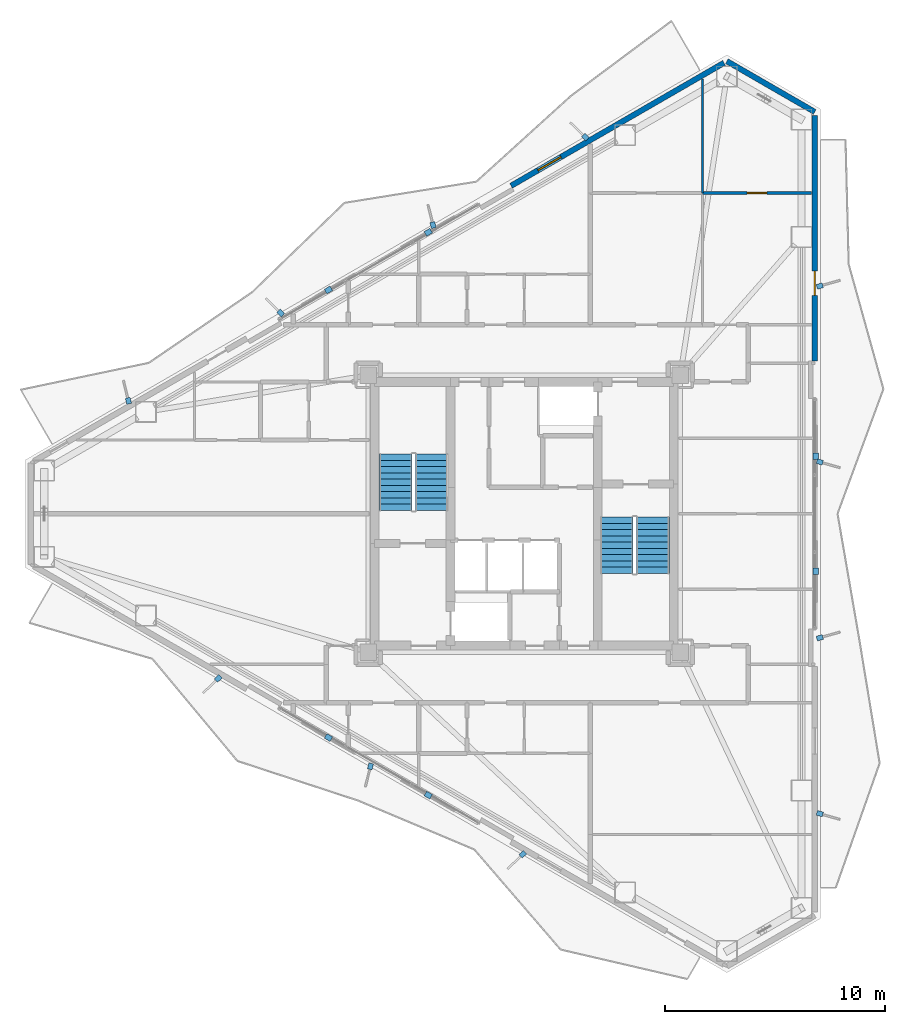
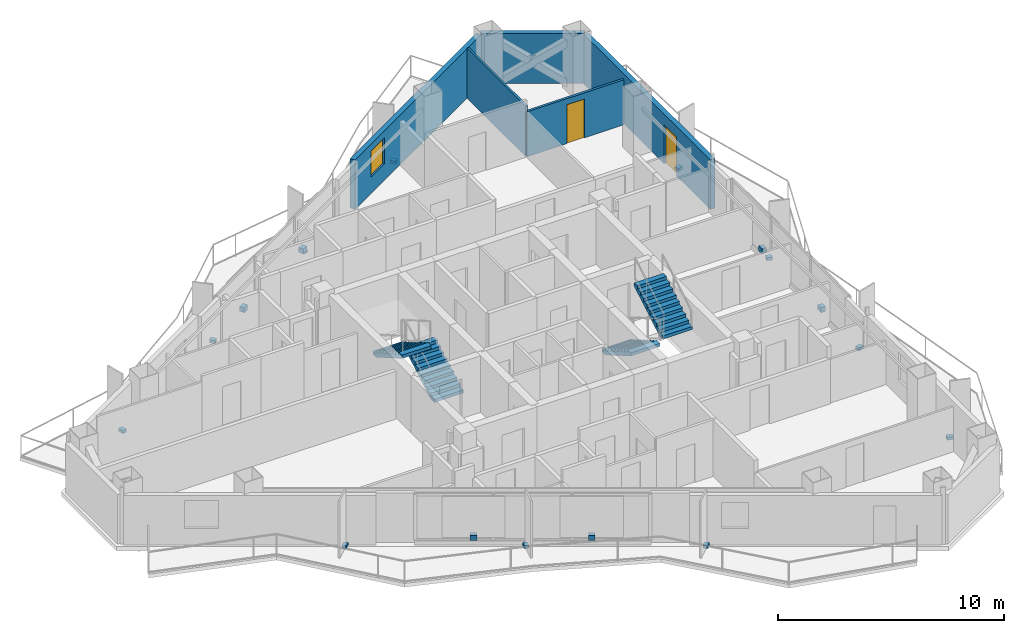
# One storey, part 16 of 18: 17 discrete accessories, 5 walls, 4 stair flights, 2 doors, 1 window, 3 openings, 2 elements without a shape of their own.
"""IFC4 building model written with IfcOpenShell, lengths in metres."""

import ifcopenshell
import ifcopenshell.guid

model = None  # the IFC model being written
_history = None  # IfcOwnerHistory: only IFC2X3 demands one
_inside = {}  # id of a spatial element -> (the spatial element, [elements in it])
_under = {}  # id of a project, library or spatial element -> (it, [spatial elements below it])
_declared = {}  # id of a project -> (the project, [libraries it declares])
_typed = {}  # id of a type object -> (the type object, [elements of that type])
_made_of = {}  # id of a material, layer set ... -> (it, [elements and type objects made of it])


def new_model(schema):
    """Start an empty IFC model of exactly this schema.

    Asked for "IFC4X3", IfcOpenShell would pick the latest addendum, in which some entities
    have other attributes; the version numbers below select the first issue.
    IFC2X3 requires an IfcOwnerHistory on every rooted entity: one is made here for all.
    """
    global model, _history
    if schema == "IFC4X3":
        model = ifcopenshell.file(schema_version=(4, 3, 0, 0))
    else:
        model = ifcopenshell.file(schema=schema)
    _inside.clear()
    _under.clear()
    _declared.clear()
    _typed.clear()
    _made_of.clear()
    _history = None
    if model.schema == "IFC2X3":
        org = make("IfcOrganization", Name="unknown")
        user = make(
            "IfcPersonAndOrganization",
            ThePerson=make("IfcPerson", FamilyName="unknown"),
            TheOrganization=org,
        )
        app = make(
            "IfcApplication",
            ApplicationDeveloper=org,
            Version="unknown",
            ApplicationFullName="unknown",
            ApplicationIdentifier="unknown",
        )
        _history = make(
            "IfcOwnerHistory",
            OwningUser=user,
            OwningApplication=app,
            ChangeAction="ADDED",
            CreationDate=0,
        )
    return model


def make(cls, **values):
    """One entity of the class cls with the attributes given. An attribute that is None is left unset."""
    return model.create_entity(
        cls, **{name: value for name, value in values.items() if value is not None}
    )


def rooted(cls, **values):
    """An entity with a GlobalId (a new one), such as an element, a storey or a relation."""
    return make(cls, GlobalId=ifcopenshell.guid.new(), OwnerHistory=_history, **values)


def si_unit(unit_type, name, prefix=None):
    """IfcSIUnit, for example si_unit("LENGTHUNIT", "METRE", prefix="MILLI")."""
    return make("IfcSIUnit", UnitType=unit_type, Prefix=prefix, Name=name)


def assignment(units):
    """IfcUnitAssignment: the units of a project."""
    return None if units is None else make("IfcUnitAssignment", Units=units)


def point(xyz):
    """IfcCartesianPoint."""
    return None if xyz is None else make("IfcCartesianPoint", Coordinates=xyz)


def direction(xyz):
    """IfcDirection."""
    return None if xyz is None else make("IfcDirection", DirectionRatios=xyz)


def frame(location, z_axis=None, x_axis=None):
    """IfcAxis2Placement3D, a coordinate frame: its origin and axes. An axis left out is left unset."""
    return make(
        "IfcAxis2Placement3D",
        Location=point(location),
        Axis=direction(z_axis),
        RefDirection=direction(x_axis),
    )


def frame_2d(location, x_axis=None):
    """IfcAxis2Placement2D, a coordinate frame in the plane: its origin and x axis."""
    return make(
        "IfcAxis2Placement2D", Location=point(location), RefDirection=direction(x_axis)
    )


def origin():
    """The frame at (0, 0, 0) with its axes left unset."""
    return frame((0.0, 0.0, 0.0))


def origin_2d():
    """The frame at (0, 0) in the plane with its x axis left unset."""
    return frame_2d((0.0, 0.0))


def place(relative_to, where):
    """IfcLocalPlacement: puts the frame where relative to a parent placement (None: the world)."""
    return make(
        "IfcLocalPlacement", PlacementRelTo=relative_to, RelativePlacement=where
    )


def context(
    kind, dimensions, precision=None, world=None, true_north=None, identifier=None
):
    """IfcGeometricRepresentationContext, for example the 3D "Model" context."""
    return make(
        "IfcGeometricRepresentationContext",
        ContextIdentifier=identifier,
        ContextType=kind,
        CoordinateSpaceDimension=dimensions,
        Precision=precision,
        WorldCoordinateSystem=world,
        TrueNorth=true_north,
    )


def subcontext(parent, identifier, kind, view, scale=None):
    """IfcGeometricRepresentationSubContext, for example "Body" below "Model"."""
    return make(
        "IfcGeometricRepresentationSubContext",
        ContextIdentifier=identifier,
        ContextType=kind,
        ParentContext=parent,
        TargetScale=scale,
        TargetView=view,
    )


def project(units=None, contexts=None):
    """IfcProject with its units and contexts."""
    return rooted(
        "IfcProject",
        Name="project",
        RepresentationContexts=contexts,
        UnitsInContext=assignment(units),
    )


def spatial(cls, under=None, at=None, **own):
    """A site, building, storey or space (cls), placed at a placement, below another one or the project."""
    s = rooted(cls, ObjectPlacement=at, **own)
    if under is not None:
        _under.setdefault(under.id(), (under, []))[1].append(s)
    return s


def polyline(points):
    """IfcPolyline through the points."""
    return make("IfcPolyline", Points=[point(p) for p in points])


def profile(cls, at=None, kind="AREA", **sizes):
    """A parametric profile (cls). Its sizes go by their IFC names, for example OverallWidth=200.0."""
    return make(cls, ProfileType=kind, Position=at, **sizes)


def rectangle(**sizes):
    """IfcRectangleProfileDef."""
    return profile("IfcRectangleProfileDef", **sizes)


def outline(outer, holes=None, kind="AREA"):
    """IfcArbitraryClosedProfileDef: a profile drawn as a closed curve; with holes, ...WithVoids."""
    if holes is None:
        return make("IfcArbitraryClosedProfileDef", ProfileType=kind, OuterCurve=outer)
    return make(
        "IfcArbitraryProfileDefWithVoids",
        ProfileType=kind,
        OuterCurve=outer,
        InnerCurves=holes,
    )


def extrude(swept, where, along, depth):
    """IfcExtrudedAreaSolid: the profile swept, set in the frame where, extruded along a direction by depth."""
    return make(
        "IfcExtrudedAreaSolid",
        SweptArea=swept,
        Position=where,
        ExtrudedDirection=direction(along),
        Depth=depth,
    )


def shape(context_of_items, identifier, shape_type, items):
    """IfcShapeRepresentation: the items that make up one representation, for example the "Body"."""
    return make(
        "IfcShapeRepresentation",
        ContextOfItems=context_of_items,
        RepresentationIdentifier=identifier,
        RepresentationType=shape_type,
        Items=items,
    )


def material(Name=None, Category=None):
    """IfcMaterial."""
    return make("IfcMaterial", Name=Name, Category=Category)


def layer(
    of_material, thickness, ventilated=None, Name=None, Category=None, Priority=None
):
    """IfcMaterialLayer: one layer of a wall or slab, of a material (None: an air gap)."""
    return make(
        "IfcMaterialLayer",
        Material=of_material,
        LayerThickness=thickness,
        IsVentilated=ventilated,
        Name=Name,
        Category=Category,
        Priority=Priority,
    )


def layer_set(layers, Name=None):
    """IfcMaterialLayerSet."""
    return make("IfcMaterialLayerSet", MaterialLayers=layers, LayerSetName=Name)


def made_of(thing, what):
    """Note that an element or type object is made of a material, layer set ...; save() writes the relation."""
    if what is not None:
        _made_of.setdefault(what.id(), (what, []))[1].append(thing)
    return thing


def type_object(cls, material=None, **own):
    """A type object (cls), such as IfcWallType, which elements share."""
    return made_of(rooted(cls, **own), material)


def element(
    cls,
    number,
    at=None,
    inside=None,
    cuts=None,
    type_object=None,
    material=None,
    context=None,
    identifier="Body",
    shape_type=None,
    held_by="IfcProductDefinitionShape",
    body=None,
    shapes=None,
    **own,
):
    """One element of the class cls, such as IfcWall. Its Tag is "e" and its number.

    at: its placement. inside: the storey or other place that contains it. cuts: it is an
    opening in that element (IfcRelVoidsElement). A single representation is given by context,
    identifier, shape_type and body (its items); several are given by shapes. held_by: the class
    of the entity that holds the representations. save() writes the other relations.
    """
    e = rooted(cls, Tag="e%d" % number, ObjectPlacement=at, **own)
    if body is not None:
        shapes = [shape(context, identifier, shape_type, body)]
    if shapes is not None:
        e.Representation = make(held_by, Representations=shapes)
    if inside is not None:
        _inside.setdefault(inside.id(), (inside, []))[1].append(e)
    if cuts is not None:
        rooted(
            "IfcRelVoidsElement", RelatingBuildingElement=cuts, RelatedOpeningElement=e
        )
    if type_object is not None:
        _typed.setdefault(type_object.id(), (type_object, []))[1].append(e)
    return made_of(e, material)


def fill(opening, filler):
    """IfcRelFillsElement: the door or window that sits in an opening."""
    return rooted(
        "IfcRelFillsElement",
        RelatingOpeningElement=opening,
        RelatedBuildingElement=filler,
    )


def aggregate(whole, parts):
    """IfcRelAggregates: a whole, such as a stair, and the parts it consists of."""
    return rooted("IfcRelAggregates", RelatingObject=whole, RelatedObjects=parts)


def save(model, path):
    """Write the relations noted so far, then the file.

    IfcRelAggregates (storeys below a building ...), IfcRelContainedInSpatialStructure (elements
    in a storey), IfcRelDefinesByType, IfcRelAssociatesMaterial and IfcRelDeclares: one each for
    every whole, place, type object, material and project.
    """
    for whole, parts in _under.values():
        aggregate(whole, parts)
    for where, things in _inside.values():
        rooted(
            "IfcRelContainedInSpatialStructure",
            RelatedElements=things,
            RelatingStructure=where,
        )
    for kind, things in _typed.values():
        rooted("IfcRelDefinesByType", RelatedObjects=things, RelatingType=kind)
    for what, things in _made_of.values():
        rooted("IfcRelAssociatesMaterial", RelatedObjects=things, RelatingMaterial=what)
    for by, libraries in _declared.values():
        rooted("IfcRelDeclares", RelatingContext=by, RelatedDefinitions=libraries)
    model.write(path)


model = new_model("IFC4")

# Units and contexts
model_context = context("Model", 3, precision=1e-05, world=origin(), true_north=direction((0.0, 1.0)))
body_context = subcontext(model_context, "Body", "Model", "MODEL_VIEW")
ifc_project = project(units=[si_unit("LENGTHUNIT", "METRE"), si_unit("AREAUNIT", "SQUARE_METRE"), si_unit("VOLUMEUNIT", "CUBIC_METRE"), si_unit("PLANEANGLEUNIT", "RADIAN"), si_unit("MASSUNIT", "GRAM", prefix="KILO")], contexts=[model_context])

# Site, building, storey
site_placement = place(None, origin())
site = spatial("IfcSite", under=ifc_project, at=site_placement, CompositionType="ELEMENT")
building_placement = place(site_placement, origin())
building = spatial("IfcBuilding", under=site, at=building_placement, Name="Mersakhor Tower and Convention Hall", CompositionType="ELEMENT")
storey_placement = place(building_placement, frame((0.0, 0.0, 150.89990234375)))
storey = spatial("IfcBuildingStorey", under=building, at=storey_placement, Name="L42", CompositionType="ELEMENT", Elevation=150.89990234375)

# Wall
ifc_material_1 = material(Name="Precast concrete C40/50", Category="concrete")
ifc_layer_1 = layer(ifc_material_1, 0.25)
ifc_layer_set_1 = layer_set([ifc_layer_1], Name="Precast concrete C40/50")
wall_type_1 = type_object("IfcWallType", Name="WL-EXT-250", PredefinedType="SOLIDWALL", material=ifc_layer_set_1)
wall_1_placement = place(storey_placement, frame((38.220458984375, 47.337646484375, 0.0), z_axis=(0.0, 0.0, 1.0), x_axis=(0.866035021055, -0.499983342029, 0.0)))
element("IfcWall", 1, at=wall_1_placement, inside=storey, type_object=wall_type_1, Name="L42 Chamfer Braced Spandrel Wall C1", PredefinedType="SOLIDWALL", context=body_context, shape_type="SweptSolid", body=[
    extrude(rectangle(XDim=4.617431640625, YDim=0.25, at=frame_2d((2.30859375, 0.0))), origin(), (0.0, 0.0, 1.0), 2.68017578125),
])

# Wall, opening, window
wall_2_placement = place(storey_placement, frame((28.4033203125, 41.669677734375, 0.0), z_axis=(0.0, 0.0, 1.0), x_axis=(0.86602239209, 0.500005216371, 0.0)))
wall_2 = element("IfcWall", 2, at=wall_2_placement, inside=storey, type_object=wall_type_1, Name="L42 Exterior Facade Wall F1-B3", PredefinedType="SOLIDWALL", context=body_context, shape_type="SweptSolid", body=[
    extrude(rectangle(XDim=11.18603515625, YDim=0.25, at=frame_2d((5.593017578125, 0.0))), origin(), (0.0, 0.0, 1.0), 2.68017578125),
])
opening_1_placement = place(wall_2_placement, frame((1.416015625, 0.0, 0.89990234375)))
opening_1 = element("IfcOpeningElement", 3, at=opening_1_placement, cuts=wall_2, Name="Opening W-01", PredefinedType="OPENING", context=body_context, shape_type="SweptSolid", body=[
    extrude(rectangle(XDim=1.199951171875, YDim=1.39990234375, at=frame_2d((0.60009765625, 0.699951171875))), frame((0.0, 0.135009765625, 0.0), z_axis=(0.0, -1.0, 0.0), x_axis=(1.0, 0.0, 0.0)), (0.0, 0.0, 1.0), 0.27001953125),
])
ifc_material_2 = material(Name="Dark solar low-E glazed aluminium window", Category="aluminium")
window_type = type_object("IfcWindowType", Name="WN-RES-120x150", PartitioningType="SINGLE_PANEL", PredefinedType="WINDOW", material=ifc_material_2)
window_placement = place(opening_1_placement, origin())
window = element("IfcWindow", 4, at=window_placement, inside=storey, type_object=window_type, Name="L42 Bedroom Facade Window F1-B3-1", OverallHeight=1.39990234375, OverallWidth=1.199951171875, PartitioningType="SINGLE_PANEL", PredefinedType="WINDOW", context=body_context, shape_type="SweptSolid", body=[
    extrude(rectangle(XDim=1.199951171875, YDim=1.39990234375, at=frame_2d((0.60009765625, 0.699951171875))), frame((0.0, 0.030029296875, 0.0), z_axis=(0.0, -1.0, 0.0), x_axis=(1.0, 0.0, 0.0)), (0.0, 0.0, 1.0), 0.06005859375),
])
fill(opening_1, window)

# Wall, opening, door
wall_3_placement = place(storey_placement, frame((42.21923828125, 44.87890625, 0.0), z_axis=(0.0, 0.0, 1.0), x_axis=(0.0, -1.0, 0.0)))
wall_3 = element("IfcWall", 5, at=wall_3_placement, inside=storey, type_object=wall_type_1, Name="L42 Exterior Facade Wall F2-B1", PredefinedType="SOLIDWALL", context=body_context, shape_type="SweptSolid", body=[
    extrude(rectangle(XDim=11.185791015625, YDim=0.25, at=frame_2d((5.5927734375, 0.0))), origin(), (0.0, 0.0, 1.0), 2.68017578125),
])
opening_2_placement = place(wall_3_placement, frame((7.094970703125, 0.0, 0.0)))
opening_2 = element("IfcOpeningElement", 6, at=opening_2_placement, cuts=wall_3, Name="Opening BD-02", PredefinedType="OPENING", context=body_context, shape_type="SweptSolid", body=[
    extrude(rectangle(XDim=1.10009765625, YDim=2.10009765625, at=frame_2d((0.550048828125, 1.050048828125))), frame((0.0, 0.135009765625, 0.0), z_axis=(0.0, -1.0, 0.0), x_axis=(1.0, 0.0, 0.0)), (0.0, 0.0, 1.0), 0.27001953125),
])
ifc_material_3 = material(Name="Thermally broken dark aluminium and safety glass", Category="aluminium")
door_type_1 = type_object("IfcDoorType", Name="DR-BAL-110x210", OperationType="NOTDEFINED", PredefinedType="DOOR", material=ifc_material_3)
door_1_placement = place(opening_2_placement, origin())
door_1 = element("IfcDoor", 7, at=door_1_placement, inside=storey, type_object=door_type_1, Name="L42 Balcony Terrace Door F2-B1", OperationType="SINGLE_SWING_RIGHT", OverallHeight=2.10009765625, OverallWidth=1.10009765625, PredefinedType="DOOR", context=body_context, shape_type="SweptSolid", body=[
    extrude(rectangle(XDim=1.10009765625, YDim=2.10009765625, at=frame_2d((0.550048828125, 1.050048828125))), frame((0.0, 0.02490234375, 0.0), z_axis=(0.0, -1.0, 0.0), x_axis=(1.0, 0.0, 0.0)), (0.0, 0.0, 1.0), 0.050048828125),
])
fill(opening_2, door_1)

# Wall
ifc_material_4 = material(Name="Lightweight gypsum partition", Category="other")
ifc_layer_2 = layer(ifc_material_4, 0.10009765625)
ifc_layer_set_2 = layer_set([ifc_layer_2], Name="Lightweight gypsum partition")
wall_type_2 = type_object("IfcWallType", Name="WL-PRT-100", PredefinedType="PARTITIONING", material=ifc_layer_set_2)
wall_4_placement = place(storey_placement, frame((37.110107421875, 46.5244140625, 0.0), z_axis=(0.0, 0.0, 1.0), x_axis=(0.0, -1.0, 0.0)))
element("IfcWall", 8, at=wall_4_placement, inside=storey, type_object=wall_type_2, Name="L42 Interior Partition Wall P-084", PredefinedType="PARTITIONING", context=body_context, shape_type="SweptSolid", body=[
    extrude(rectangle(XDim=5.184326171875, YDim=0.10009765625, at=frame_2d((2.59228515625, 0.0))), origin(), (0.0, 0.0, 1.0), 2.724609375),
])

# Wall, opening, door
ifc_material_5 = material(Name="Gypsum board acoustic partition", Category="other")
ifc_layer_3 = layer(ifc_material_5, 0.125)
ifc_layer_set_3 = layer_set([ifc_layer_3], Name="Gypsum board acoustic partition")
wall_type_3 = type_object("IfcWallType", Name="WL-PRT-125", PredefinedType="PARTITIONING", material=ifc_layer_set_3)
wall_5_placement = place(storey_placement, frame((37.110107421875, 41.340087890625, 0.0), z_axis=(0.0, 0.0, 1.0), x_axis=(1.0, 0.0, 0.0)))
wall_5 = element("IfcWall", 9, at=wall_5_placement, inside=storey, type_object=wall_type_3, Name="L42 Interior Partition Wall P-081", PredefinedType="PARTITIONING", context=body_context, shape_type="SweptSolid", body=[
    extrude(rectangle(XDim=4.960205078125, YDim=0.125, at=frame_2d((2.47998046875, 0.0))), origin(), (0.0, 0.0, 1.0), 2.432861328125),
])
opening_3_placement = place(wall_5_placement, frame((2.030029296875, 0.0, 0.0)))
opening_3 = element("IfcOpeningElement", 10, at=opening_3_placement, cuts=wall_5, Name="Opening WD-01", PredefinedType="OPENING", context=body_context, shape_type="SweptSolid", body=[
    extrude(rectangle(XDim=0.89990234375, YDim=2.10009765625, at=frame_2d((0.449951171875, 1.050048828125))), frame((0.0, 0.072509765625, 0.0), z_axis=(0.0, -1.0, 0.0), x_axis=(1.0, 0.0, 0.0)), (0.0, 0.0, 1.0), 0.14501953125),
])
ifc_material_6 = material(Name="Solid-core hardwood leaf in painted steel frame", Category="steel")
door_type_2 = type_object("IfcDoorType", Name="DR-INT-WET-090x210", OperationType="NOTDEFINED", PredefinedType="DOOR", material=ifc_material_6)
door_2_placement = place(opening_3_placement, origin())
door_2 = element("IfcDoor", 11, at=door_2_placement, inside=storey, type_object=door_type_2, Name="L42 L42 North-East Residents Study Room Annex to L42 North-East Residents Study Room Annex Annex Door", OperationType="SINGLE_SWING_LEFT", OverallHeight=2.10009765625, OverallWidth=0.89990234375, PredefinedType="DOOR", context=body_context, shape_type="SweptSolid", body=[
    extrude(rectangle(XDim=0.89990234375, YDim=2.10009765625, at=frame_2d((0.449951171875, 1.050048828125))), frame((0.0, 0.02490234375, 0.0), z_axis=(0.0, -1.0, 0.0), x_axis=(1.0, 0.0, 0.0)), (0.0, 0.0, 1.0), 0.050048828125),
])
fill(opening_3, door_2)

# Stair, stair flights
ifc_material_7 = material(Name="Concrete C45/55", Category="concrete")
stair_type = type_object("IfcStairType", Name="ST-TWR-20R", PredefinedType="HALF_TURN_STAIR", material=ifc_material_7)
stair_1_placement = place(storey_placement, origin())
stair_1 = element("IfcStair", 12, at=stair_1_placement, inside=storey, type_object=stair_type, Name="L42 Tower Protected Exit Stair ST-1", PredefinedType="HALF_TURN_STAIR")
ifc_material_8 = material(Name="Concrete C45/55", Category="concrete")
stair_flight_type = type_object("IfcStairFlightType", Name="SFL-TWR-20R", PredefinedType="STRAIGHT", material=ifc_material_8)
stair_flight_1_placement = place(storey_placement, frame((24.800048828125, 26.89990234375, 0.0), z_axis=(0.0, 0.0, 1.0), x_axis=(0.0, 1.0, 0.0)))
stair_flight_1 = element("IfcStairFlight", 13, at=stair_flight_1_placement, type_object=stair_flight_type, Name="ST-1 flight 1", NumberOfRisers=10, NumberOfTreads=9, PredefinedType="STRAIGHT", RiserHeight=0.165, TreadLength=0.285, context=body_context, shape_type="SweptSolid", body=[
    extrude(outline(polyline([(0.0, 0.0), (0.0, 0.1650390625), (0.284912109375, 0.1650390625), (0.284912109375, 0.330078125), (0.570068359375, 0.330078125), (0.570068359375, 0.4951171875), (0.85498046875, 0.4951171875), (0.85498046875, 0.659912109375), (1.139892578125, 0.659912109375), (1.139892578125, 0.824951171875), (1.425048828125, 0.824951171875), (1.425048828125, 0.989990234375), (1.7099609375, 0.989990234375), (1.7099609375, 1.155029296875), (1.9951171875, 1.155029296875), (1.9951171875, 1.320068359375), (2.280029296875, 1.320068359375), (2.280029296875, 1.485107421875), (2.56494140625, 1.485107421875), (2.56494140625, 1.64990234375), (2.56494140625, 1.311767578125), (0.299072265625, 0.0), (0.0, 0.0)])), frame((0.0, 0.75, 0.0), z_axis=(0.0, -1.0, 0.0), x_axis=(1.0, 0.0, 0.0)), (0.0, 0.0, 1.0), 1.5),
])
stair_flight_2_placement = place(storey_placement, frame((23.14990234375, 29.465087890625, 1.650146484375), z_axis=(0.0, 0.0, 1.0), x_axis=(0.0, -1.0, 0.0)))
stair_flight_2 = element("IfcStairFlight", 14, at=stair_flight_2_placement, type_object=stair_flight_type, Name="ST-1 flight 2", NumberOfRisers=10, NumberOfTreads=9, PredefinedType="STRAIGHT", RiserHeight=0.165, TreadLength=0.285, context=body_context, shape_type="SweptSolid", body=[
    extrude(outline(polyline([(0.0, 0.0), (0.0, 0.1650390625), (0.284912109375, 0.1650390625), (0.284912109375, 0.330078125), (0.570068359375, 0.330078125), (0.570068359375, 0.4951171875), (0.85498046875, 0.4951171875), (0.85498046875, 0.659912109375), (1.139892578125, 0.659912109375), (1.139892578125, 0.824951171875), (1.425048828125, 0.824951171875), (1.425048828125, 0.989990234375), (1.7099609375, 0.989990234375), (1.7099609375, 1.155029296875), (1.9951171875, 1.155029296875), (1.9951171875, 1.320068359375), (2.280029296875, 1.320068359375), (2.280029296875, 1.485107421875), (2.56494140625, 1.485107421875), (2.56494140625, 1.64990234375), (2.56494140625, 1.311767578125), (0.299072265625, 0.0), (0.0, 0.0)])), frame((0.0, 0.75, 0.0), z_axis=(0.0, -1.0, 0.0), x_axis=(1.0, 0.0, 0.0)), (0.0, 0.0, 1.0), 1.5),
])
aggregate(stair_1, [stair_flight_1, stair_flight_2])

stair_2_placement = place(storey_placement, origin())
stair_2 = element("IfcStair", 15, at=stair_2_placement, inside=storey, type_object=stair_type, Name="L42 Tower Protected Exit Stair ST-2", PredefinedType="HALF_TURN_STAIR")
stair_flight_3_placement = place(storey_placement, frame((33.199951171875, 26.60009765625, 0.0), z_axis=(0.0, 0.0, 1.0), x_axis=(0.0, -1.0, 0.0)))
stair_flight_3 = element("IfcStairFlight", 16, at=stair_flight_3_placement, type_object=stair_flight_type, Name="ST-2 flight 1", NumberOfRisers=10, NumberOfTreads=9, PredefinedType="STRAIGHT", RiserHeight=0.165, TreadLength=0.285, context=body_context, shape_type="SweptSolid", body=[
    extrude(outline(polyline([(0.0, 0.0), (0.0, 0.1650390625), (0.284912109375, 0.1650390625), (0.284912109375, 0.330078125), (0.570068359375, 0.330078125), (0.570068359375, 0.4951171875), (0.85498046875, 0.4951171875), (0.85498046875, 0.659912109375), (1.139892578125, 0.659912109375), (1.139892578125, 0.824951171875), (1.425048828125, 0.824951171875), (1.425048828125, 0.989990234375), (1.7099609375, 0.989990234375), (1.7099609375, 1.155029296875), (1.9951171875, 1.155029296875), (1.9951171875, 1.320068359375), (2.280029296875, 1.320068359375), (2.280029296875, 1.485107421875), (2.56494140625, 1.485107421875), (2.56494140625, 1.64990234375), (2.56494140625, 1.311767578125), (0.299072265625, 0.0), (0.0, 0.0)])), frame((0.0, 0.75, 0.0), z_axis=(0.0, -1.0, 0.0), x_axis=(1.0, 0.0, 0.0)), (0.0, 0.0, 1.0), 1.5),
])
stair_flight_4_placement = place(storey_placement, frame((34.85009765625, 24.034912109375, 1.650146484375), z_axis=(0.0, 0.0, 1.0), x_axis=(0.0, 1.0, 0.0)))
stair_flight_4 = element("IfcStairFlight", 17, at=stair_flight_4_placement, type_object=stair_flight_type, Name="ST-2 flight 2", NumberOfRisers=10, NumberOfTreads=9, PredefinedType="STRAIGHT", RiserHeight=0.165, TreadLength=0.285, context=body_context, shape_type="SweptSolid", body=[
    extrude(outline(polyline([(0.0, 0.0), (0.0, 0.1650390625), (0.284912109375, 0.1650390625), (0.284912109375, 0.330078125), (0.570068359375, 0.330078125), (0.570068359375, 0.4951171875), (0.85498046875, 0.4951171875), (0.85498046875, 0.659912109375), (1.139892578125, 0.659912109375), (1.139892578125, 0.824951171875), (1.425048828125, 0.824951171875), (1.425048828125, 0.989990234375), (1.7099609375, 0.989990234375), (1.7099609375, 1.155029296875), (1.9951171875, 1.155029296875), (1.9951171875, 1.320068359375), (2.280029296875, 1.320068359375), (2.280029296875, 1.485107421875), (2.56494140625, 1.485107421875), (2.56494140625, 1.64990234375), (2.56494140625, 1.311767578125), (0.299072265625, 0.0), (0.0, 0.0)])), frame((0.0, 0.75, 0.0), z_axis=(0.0, -1.0, 0.0), x_axis=(1.0, 0.0, 0.0)), (0.0, 0.0, 1.0), 1.5),
])
aggregate(stair_2, [stair_flight_3, stair_flight_4])

# Discrete accessories
ifc_material_9 = material(Name="Galvanised steel bracket", Category="steel")
ifc_layer_4 = layer(ifc_material_9, 0.02001953125)
ifc_layer_set_4 = layer_set([ifc_layer_4], Name="Galvanised steel bracket")
discrete_accessory_type = type_object("IfcDiscreteAccessoryType", Name="ACC-BRK-STL", PredefinedType="BRACKET", material=ifc_layer_set_4)
for number, where, z_axis, x_axis, name in (
    (18, (20.09521484375, 36.9306640625, 0.2900390625), (0.0, 0.0, 1.0), (0.866025403784, 0.5, 0.0), "L42 Solar Screen Outrigger Bracket BRK-1-1"),
    (19, (24.6357421875, 39.55224609375, 0.2900390625), (0.0, 0.0, 1.0), (0.866025403784, 0.5, 0.0), "L42 Solar Screen Outrigger Bracket BRK-1-2"),
):
    element("IfcDiscreteAccessory", number, at=place(storey_placement, frame(where, z_axis=z_axis, x_axis=x_axis)), inside=storey, type_object=discrete_accessory_type, Name=name, PredefinedType="BRACKET", context=body_context, shape_type="SweptSolid", body=[
        extrude(rectangle(XDim=0.300048828125, YDim=0.239990234375, at=origin_2d()), origin(), (0.0, 0.0, 1.0), 0.260009765625),
    ])
for number, where, z_axis, x_axis, name in (
    (20, (10.996826171875, 31.8857421875, -0.02001953125), (0.0, 0.0, 1.0), (-0.2419218956, 0.970295726276, 0.0), "L42 Facade Fin Base Cleat Bracket FBRK-1-1"),
    (21, (17.925048828125, 35.8857421875, -0.02001953125), (0.0, 0.0, 1.0), (-0.719339800339, 0.694658370459, 0.0), "L42 Facade Fin Base Cleat Bracket FBRK-1-2"),
    (22, (24.853271484375, 39.8857421875, -0.02001953125), (0.0, 0.0, 1.0), (-0.2419218956, 0.970295726276, 0.0), "L42 Facade Fin Base Cleat Bracket FBRK-1-3"),
    (23, (31.781494140625, 43.885498046875, -0.02001953125), (0.0, 0.0, 1.0), (-0.719339800339, 0.694658370459, 0.0), "L42 Facade Fin Base Cleat Bracket FBRK-1-4"),
):
    element("IfcDiscreteAccessory", number, at=place(storey_placement, frame(where, z_axis=z_axis, x_axis=x_axis)), inside=storey, type_object=discrete_accessory_type, Name=name, PredefinedType="BRACKET", context=body_context, shape_type="SweptSolid", body=[
        extrude(rectangle(XDim=0.280029296875, YDim=0.219970703125, at=origin_2d()), origin(), (0.0, 0.0, 1.0), 0.159912109375),
    ])
for number, where, z_axis, x_axis, name in (
    (24, (42.269287109375, 29.37158203125, 0.2900390625), (0.0, 0.0, 1.0), (0.0, -1.0, 0.0), "L42 Solar Screen Outrigger Bracket BRK-2-1"),
    (25, (42.269287109375, 24.12841796875, 0.2900390625), (0.0, 0.0, 1.0), (0.0, -1.0, 0.0), "L42 Solar Screen Outrigger Bracket BRK-2-2"),
):
    element("IfcDiscreteAccessory", number, at=place(storey_placement, frame(where, z_axis=z_axis, x_axis=x_axis)), inside=storey, type_object=discrete_accessory_type, Name=name, PredefinedType="BRACKET", context=body_context, shape_type="SweptSolid", body=[
        extrude(rectangle(XDim=0.300048828125, YDim=0.239990234375, at=origin_2d()), origin(), (0.0, 0.0, 1.0), 0.260009765625),
    ])
for number, where, z_axis, x_axis, name in (
    (26, (42.44921875, 37.106689453125, -0.02001953125), (0.0, 0.0, 1.0), (0.961261695938, 0.275637355817, 0.0), "L42 Facade Fin Base Cleat Bracket FBRK-2-1"),
    (27, (42.44921875, 29.106689453125, -0.02001953125), (0.0, 0.0, 1.0), (0.961261695938, -0.275637355817, 0.0), "L42 Facade Fin Base Cleat Bracket FBRK-2-2"),
    (28, (42.44921875, 21.106689453125, -0.02001953125), (0.0, 0.0, 1.0), (0.961261695938, 0.275637355817, 0.0), "L42 Facade Fin Base Cleat Bracket FBRK-2-3"),
    (29, (42.44921875, 13.106689453125, -0.02001953125), (0.0, 0.0, 1.0), (0.961261695938, -0.275637355817, 0.0), "L42 Facade Fin Base Cleat Bracket FBRK-2-4"),
):
    element("IfcDiscreteAccessory", number, at=place(storey_placement, frame(where, z_axis=z_axis, x_axis=x_axis)), inside=storey, type_object=discrete_accessory_type, Name=name, PredefinedType="BRACKET", context=body_context, shape_type="SweptSolid", body=[
        extrude(rectangle(XDim=0.280029296875, YDim=0.219970703125, at=origin_2d()), origin(), (0.0, 0.0, 1.0), 0.159912109375),
    ])
for number, where, z_axis, x_axis, name in (
    (30, (24.6357421875, 13.94775390625, 0.2900390625), (0.0, 0.0, 1.0), (-0.866025403784, 0.5, 0.0), "L42 Solar Screen Outrigger Bracket BRK-3-1"),
    (31, (20.09521484375, 16.5693359375, 0.2900390625), (0.0, 0.0, 1.0), (-0.866025403784, 0.5, 0.0), "L42 Solar Screen Outrigger Bracket BRK-3-2"),
):
    element("IfcDiscreteAccessory", number, at=place(storey_placement, frame(where, z_axis=z_axis, x_axis=x_axis)), inside=storey, type_object=discrete_accessory_type, Name=name, PredefinedType="BRACKET", context=body_context, shape_type="SweptSolid", body=[
        extrude(rectangle(XDim=0.300048828125, YDim=0.239990234375, at=origin_2d()), origin(), (0.0, 0.0, 1.0), 0.260009765625),
    ])
for number, where, z_axis, x_axis, name in (
    (32, (28.935302734375, 11.2578125, -0.02001953125), (0.0, 0.0, 1.0), (-0.719339800339, -0.694658370459, 0.0), "L42 Facade Fin Base Cleat Bracket FBRK-3-1"),
    (33, (22.0068359375, 15.2578125, -0.02001953125), (0.0, 0.0, 1.0), (-0.2419218956, -0.970295726276, 0.0), "L42 Facade Fin Base Cleat Bracket FBRK-3-2"),
    (34, (15.07861328125, 19.2578125, -0.02001953125), (0.0, 0.0, 1.0), (-0.719339800339, -0.694658370459, 0.0), "L42 Facade Fin Base Cleat Bracket FBRK-3-3"),
):
    element("IfcDiscreteAccessory", number, at=place(storey_placement, frame(where, z_axis=z_axis, x_axis=x_axis)), inside=storey, type_object=discrete_accessory_type, Name=name, PredefinedType="BRACKET", context=body_context, shape_type="SweptSolid", body=[
        extrude(rectangle(XDim=0.280029296875, YDim=0.219970703125, at=origin_2d()), origin(), (0.0, 0.0, 1.0), 0.159912109375),
    ])

save(model, "model.ifc")
